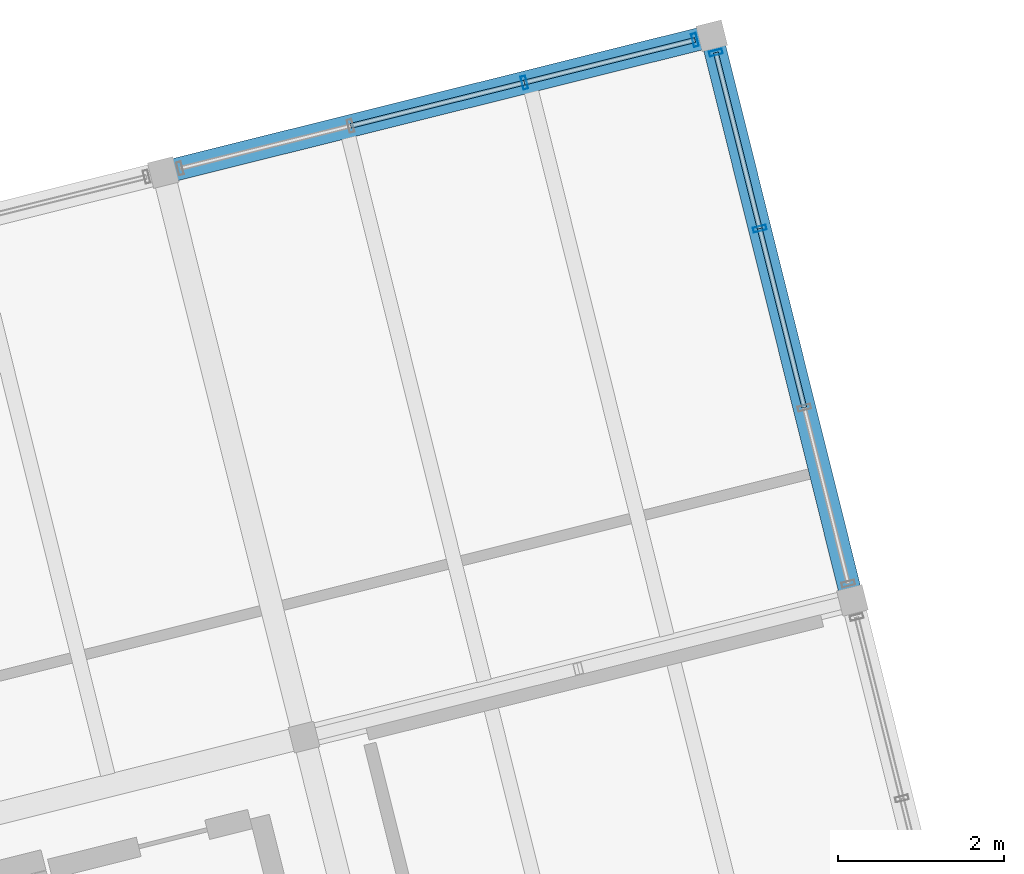
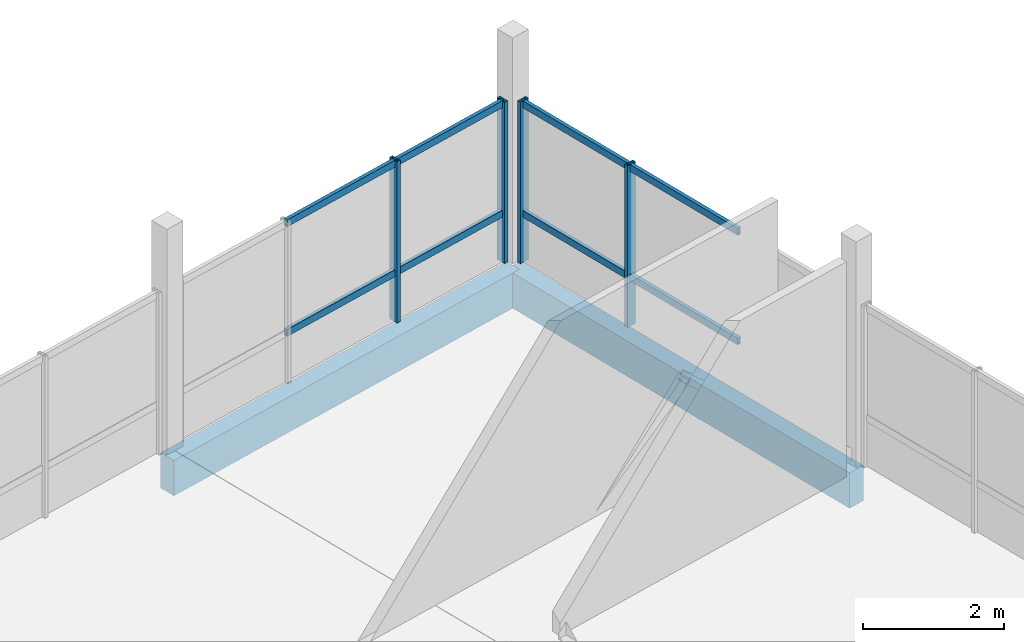
# One storey, part 20 of 25: 12 members, 2 beams, 2 elements without a shape of their own.
"""IFC4 building model written with IfcOpenShell, lengths in metres."""

from ifc_helpers import new_model, si_unit, direction, frame, origin, origin_2d, place, context, subcontext, project, spatial, rectangle, hollow_rectangle, extrude, material, layer, layer_set, material_profile, profile_set, type_object, element, aggregate, save


model = new_model("IFC4")

# Units and contexts
model_context = context("Model", 3, precision=1e-05, world=origin(), true_north=direction((0.0, 1.0)))
body_context = subcontext(model_context, "Body", "Model", "MODEL_VIEW")
ifc_project = project(units=[si_unit("LENGTHUNIT", "METRE"), si_unit("AREAUNIT", "SQUARE_METRE"), si_unit("VOLUMEUNIT", "CUBIC_METRE"), si_unit("PLANEANGLEUNIT", "RADIAN"), si_unit("MASSUNIT", "GRAM", prefix="KILO")], contexts=[model_context])

# Site, building, storey
site_placement = place(None, origin())
site = spatial("IfcSite", under=ifc_project, at=site_placement, CompositionType="ELEMENT")
building_placement = place(site_placement, origin())
building = spatial("IfcBuilding", under=site, at=building_placement, Name="Meriwether Solvik Hall", CompositionType="ELEMENT")
storey_placement = place(building_placement, frame((0.0, 0.0, 49.5)))
storey = spatial("IfcBuildingStorey", under=building, at=storey_placement, Name="L12", CompositionType="ELEMENT", Elevation=49.5)

# Beams
ifc_material_1 = material(Name="Glulam Douglas-Fir 24F-V8 GL28h", Category="wood")
ifc_material_profile_1 = material_profile(ifc_material_1, rectangle(XDim=0.27294921875, YDim=0.610107421875, at=origin_2d()), Name="GLB-273X610")
ifc_profile_set_1 = profile_set([ifc_material_profile_1], Name="Glulam Douglas-Fir 24F-V8 GL28h")
beam_type = type_object("IfcBeamType", Name="BM-GL-273X610", PredefinedType="SPANDREL", material=ifc_profile_set_1)
beam_1_placement = place(storey_placement, frame((90.158935546875, 75.432373046875, -0.485107421875), z_axis=(0.970296478685, 0.241918877831, 0.0), x_axis=(-0.241918877831, 0.970296478685, 0.0)))
element("IfcBeam", 1, at=beam_1_placement, inside=storey, type_object=beam_type, Name="Tower Girder TE:T5-T6 (L12)", PredefinedType="SPANDREL", context=body_context, shape_type="SweptSolid", body=[
    extrude(rectangle(XDim=0.27294921875, YDim=0.610107421875, at=origin_2d()), origin(), (0.0, 0.0, 1.0), 6.7998046875),
])
beam_2_placement = place(storey_placement, frame((98.4501953125, 70.285400390625, -0.485107421875), z_axis=(-0.241911879182, 0.970298223594, 0.0), x_axis=(-0.970298223594, -0.241911879182, 0.0)))
element("IfcBeam", 2, at=beam_2_placement, inside=storey, type_object=beam_type, Name="Tower Girder T6:TD-TE (L12)", PredefinedType="SPANDREL", context=body_context, shape_type="SweptSolid", body=[
    extrude(rectangle(XDim=0.27294921875, YDim=0.610107421875, at=origin_2d()), origin(), (0.0, 0.0, 1.0), 7.0),
])

# Curtain wall, members
ifc_material_2 = material(Name="Thermally Broken Anodised Aluminium 6063-T6 and Low-E Glass", Category="aluminium")
ifc_layer_1 = layer(ifc_material_2, 0.179931640625)
ifc_layer_set_1 = layer_set([ifc_layer_1], Name="Thermally Broken Anodised Aluminium 6063-T6 and Low-E Glass")
curtain_wall_type_1 = type_object("IfcCurtainWallType", Name="CW-UNIT-G", PredefinedType="USERDEFINED", material=ifc_layer_set_1)
curtain_wall_1_placement = place(storey_placement, origin())
curtain_wall_1 = element("IfcCurtainWall", 3, at=curtain_wall_1_placement, inside=storey, type_object=curtain_wall_type_1, Name="Curtain Wall E1_B3 (L12)", ObjectType="UNITISED CURTAIN WALL", PredefinedType="USERDEFINED")
ifc_material_3 = material(Name="Anodised Aluminium 6063-T6", Category="aluminium")
ifc_material_profile_2 = material_profile(ifc_material_3, hollow_rectangle(XDim=0.06005859375, YDim=0.159912109375, WallThickness=0.00390625, at=origin_2d()), Name="CWM-60X160")
ifc_profile_set_2 = profile_set([ifc_material_profile_2], Name="Anodised Aluminium 6063-T6")
member_type_1 = type_object("IfcMemberType", Name="CW-MUL-60X160", PredefinedType="MULLION", material=ifc_profile_set_2)
member_1_placement = place(storey_placement, frame((96.80712890625, 76.876220703125, 0.0), z_axis=(0.0, 0.0, 1.0), x_axis=(0.241921960765, -0.970295710028, 0.0)))
member_1 = element("IfcMember", 4, at=member_1_placement, type_object=member_type_1, Name="Curtain Wall Mullion 1", PredefinedType="MULLION", context=body_context, shape_type="SweptSolid", body=[
    extrude(hollow_rectangle(XDim=0.06005859375, YDim=0.159912109375, WallThickness=0.00390625, at=origin_2d()), origin(), (0.0, 0.0, 1.0), 2.7900390625),
])
member_2_placement = place(storey_placement, frame((97.3349609375, 74.758544921875, 0.0), z_axis=(0.0, 0.0, 1.0), x_axis=(0.241921960765, -0.970295710028, 0.0)))
member_2 = element("IfcMember", 5, at=member_2_placement, type_object=member_type_1, Name="Curtain Wall Mullion 2", PredefinedType="MULLION", context=body_context, shape_type="SweptSolid", body=[
    extrude(hollow_rectangle(XDim=0.06005859375, YDim=0.159912109375, WallThickness=0.00390625, at=origin_2d()), origin(), (0.0, 0.0, 1.0), 2.7900390625),
])

ifc_material_4 = material(Name="Thermally Broken Anodised Aluminium 6063-T6 and Low-E Glass", Category="aluminium")
ifc_layer_2 = layer(ifc_material_4, 0.179931640625)
ifc_layer_set_2 = layer_set([ifc_layer_2], Name="Thermally Broken Anodised Aluminium 6063-T6 and Low-E Glass")
curtain_wall_type_2 = type_object("IfcCurtainWallType", Name="CW-UNIT-B", PredefinedType="USERDEFINED", material=ifc_layer_set_2)
curtain_wall_2_placement = place(storey_placement, origin())
curtain_wall_2 = element("IfcCurtainWall", 6, at=curtain_wall_2_placement, inside=storey, type_object=curtain_wall_type_2, Name="Curtain Wall E2_B4 (L12)", ObjectType="UNITISED CURTAIN WALL", PredefinedType="USERDEFINED")
member_3_placement = place(storey_placement, frame((94.502685546875, 76.515380859375, 0.0), z_axis=(0.0, 0.0, 1.0), x_axis=(0.970295706127, 0.241921976413, 0.0)))
member_3 = element("IfcMember", 7, at=member_3_placement, type_object=member_type_1, Name="Curtain Wall Mullion 3", PredefinedType="MULLION", context=body_context, shape_type="SweptSolid", body=[
    extrude(hollow_rectangle(XDim=0.06005859375, YDim=0.159912109375, WallThickness=0.00390625, at=origin_2d()), origin(), (0.0, 0.0, 1.0), 2.7900390625),
])
member_4_placement = place(storey_placement, frame((96.555419921875, 77.02734375, 0.0), z_axis=(0.0, 0.0, 1.0), x_axis=(0.970295706127, 0.241921976413, 0.0)))
member_4 = element("IfcMember", 8, at=member_4_placement, type_object=member_type_1, Name="Curtain Wall Mullion 4", PredefinedType="MULLION", context=body_context, shape_type="SweptSolid", body=[
    extrude(hollow_rectangle(XDim=0.06005859375, YDim=0.159912109375, WallThickness=0.00390625, at=origin_2d()), origin(), (0.0, 0.0, 1.0), 2.7900390625),
])

# Member
ifc_material_5 = material(Name="Anodised Aluminium 6063-T6", Category="aluminium")
ifc_material_profile_3 = material_profile(ifc_material_5, hollow_rectangle(XDim=0.06005859375, YDim=0.1201171875, WallThickness=0.00390625, at=origin_2d()), Name="CWT-60X120")
ifc_profile_set_3 = profile_set([ifc_material_profile_3], Name="Anodised Aluminium 6063-T6")
member_type_2 = type_object("IfcMemberType", Name="CW-TRN-60X120", PredefinedType="USERDEFINED", material=ifc_profile_set_3)
member_5_placement = place(storey_placement, frame((96.80712890625, 76.876220703125, 0.8369140625), z_axis=(0.241851216689, -0.970313345773, 0.0), x_axis=(0.970313345773, 0.241851216689, 0.0)))
member_5 = element("IfcMember", 9, at=member_5_placement, type_object=member_type_2, Name="Curtain Wall Transom 1-sill", ObjectType="TRANSOM", PredefinedType="USERDEFINED", context=body_context, shape_type="SweptSolid", body=[
    extrude(hollow_rectangle(XDim=0.06005859375, YDim=0.1201171875, WallThickness=0.00390625, at=origin_2d()), origin(), (0.0, 0.0, 1.0), 2.182373046875),
])

member_6_placement = place(storey_placement, frame((96.80712890625, 76.876220703125, 2.72998046875), z_axis=(0.241851216689, -0.970313345773, 0.0), x_axis=(0.970313345773, 0.241851216689, 0.0)))
member_6 = element("IfcMember", 10, at=member_6_placement, type_object=member_type_2, Name="Curtain Wall Transom 1-head", ObjectType="TRANSOM", PredefinedType="USERDEFINED", context=body_context, shape_type="SweptSolid", body=[
    extrude(hollow_rectangle(XDim=0.06005859375, YDim=0.1201171875, WallThickness=0.00390625, at=origin_2d()), origin(), (0.0, 0.0, 1.0), 2.182373046875),
])

member_7_placement = place(storey_placement, frame((97.3349609375, 74.758544921875, 0.8369140625), z_axis=(0.241914618046, -0.970297540745, 0.0), x_axis=(0.970297540745, 0.241914618046, 0.0)))
member_7 = element("IfcMember", 11, at=member_7_placement, type_object=member_type_2, Name="Curtain Wall Transom 2-sill", ObjectType="TRANSOM", PredefinedType="USERDEFINED", context=body_context, shape_type="SweptSolid", body=[
    extrude(hollow_rectangle(XDim=0.06005859375, YDim=0.1201171875, WallThickness=0.00390625, at=origin_2d()), origin(), (0.0, 0.0, 1.0), 2.22021484375),
])

member_8_placement = place(storey_placement, frame((97.3349609375, 74.758544921875, 2.72998046875), z_axis=(0.241914618046, -0.970297540745, 0.0), x_axis=(0.970297540745, 0.241914618046, 0.0)))
member_8 = element("IfcMember", 12, at=member_8_placement, type_object=member_type_2, Name="Curtain Wall Transom 2-head", ObjectType="TRANSOM", PredefinedType="USERDEFINED", context=body_context, shape_type="SweptSolid", body=[
    extrude(hollow_rectangle(XDim=0.06005859375, YDim=0.1201171875, WallThickness=0.00390625, at=origin_2d()), origin(), (0.0, 0.0, 1.0), 2.22021484375),
])

aggregate(curtain_wall_1, [member_1, member_2, member_5, member_6, member_7, member_8])

member_9_placement = place(storey_placement, frame((92.4130859375, 75.994384765625, 0.8369140625), z_axis=(0.970295683069, 0.241922068895, 0.0), x_axis=(-0.241922068895, 0.970295683069, 0.0)))
member_9 = element("IfcMember", 13, at=member_9_placement, type_object=member_type_2, Name="Curtain Wall Transom 2-sill", ObjectType="TRANSOM", PredefinedType="USERDEFINED", context=body_context, shape_type="SweptSolid", body=[
    extrude(hollow_rectangle(XDim=0.06005859375, YDim=0.1201171875, WallThickness=0.00390625, at=origin_2d()), origin(), (0.0, 0.0, 1.0), 2.153564453125),
])

member_10_placement = place(storey_placement, frame((92.4130859375, 75.994384765625, 2.72998046875), z_axis=(0.970295683069, 0.241922068895, 0.0), x_axis=(-0.241922068895, 0.970295683069, 0.0)))
member_10 = element("IfcMember", 14, at=member_10_placement, type_object=member_type_2, Name="Curtain Wall Transom 2-head", ObjectType="TRANSOM", PredefinedType="USERDEFINED", context=body_context, shape_type="SweptSolid", body=[
    extrude(hollow_rectangle(XDim=0.06005859375, YDim=0.1201171875, WallThickness=0.00390625, at=origin_2d()), origin(), (0.0, 0.0, 1.0), 2.153564453125),
])

member_11_placement = place(storey_placement, frame((94.502685546875, 76.515380859375, 0.8369140625), z_axis=(0.970278112146, 0.241992531062, 0.0), x_axis=(-0.241992531062, 0.970278112146, 0.0)))
member_11 = element("IfcMember", 15, at=member_11_placement, type_object=member_type_2, Name="Curtain Wall Transom 3-sill", ObjectType="TRANSOM", PredefinedType="USERDEFINED", context=body_context, shape_type="SweptSolid", body=[
    extrude(hollow_rectangle(XDim=0.06005859375, YDim=0.1201171875, WallThickness=0.00390625, at=origin_2d()), origin(), (0.0, 0.0, 1.0), 2.11572265625),
])

member_12_placement = place(storey_placement, frame((94.502685546875, 76.515380859375, 2.72998046875), z_axis=(0.970278112146, 0.241992531062, 0.0), x_axis=(-0.241992531062, 0.970278112146, 0.0)))
member_12 = element("IfcMember", 16, at=member_12_placement, type_object=member_type_2, Name="Curtain Wall Transom 3-head", ObjectType="TRANSOM", PredefinedType="USERDEFINED", context=body_context, shape_type="SweptSolid", body=[
    extrude(hollow_rectangle(XDim=0.06005859375, YDim=0.1201171875, WallThickness=0.00390625, at=origin_2d()), origin(), (0.0, 0.0, 1.0), 2.11572265625),
])

aggregate(curtain_wall_2, [member_3, member_4, member_9, member_10, member_11, member_12])

save(model, "model.ifc")
